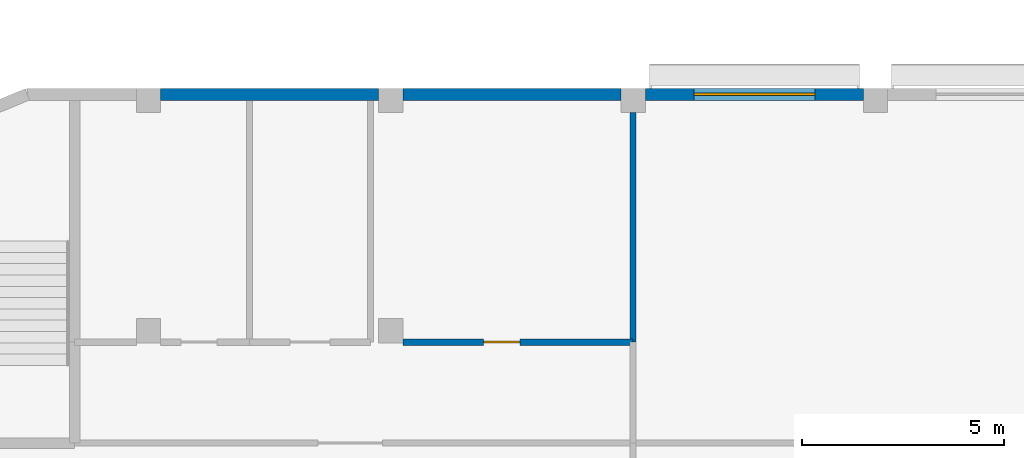
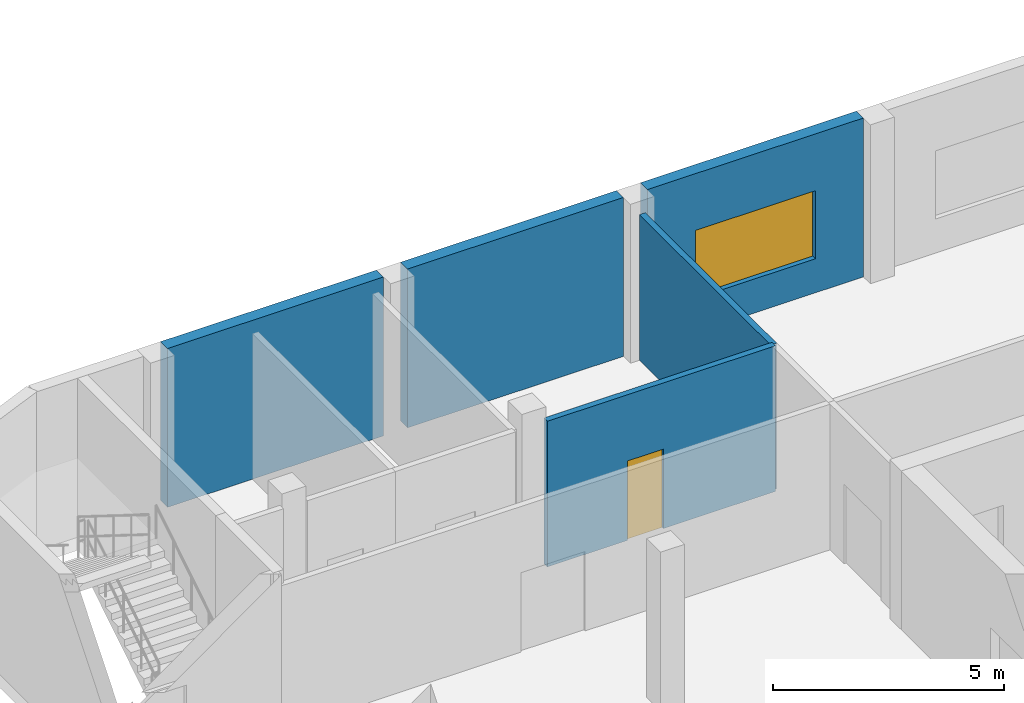
# One storey, part 21 of 45: 5 walls, 1 door, 1 window, 2 openings.
"""IFC4 building model written with IfcOpenShell, lengths in metres."""

import ifcopenshell
import ifcopenshell.guid

model = None  # the IFC model being written
_history = None  # IfcOwnerHistory: only IFC2X3 demands one
_inside = {}  # id of a spatial element -> (the spatial element, [elements in it])
_under = {}  # id of a project, library or spatial element -> (it, [spatial elements below it])
_declared = {}  # id of a project -> (the project, [libraries it declares])
_typed = {}  # id of a type object -> (the type object, [elements of that type])
_made_of = {}  # id of a material, layer set ... -> (it, [elements and type objects made of it])


def new_model(schema):
    """Start an empty IFC model of exactly this schema.

    Asked for "IFC4X3", IfcOpenShell would pick the latest addendum, in which some entities
    have other attributes; the version numbers below select the first issue.
    IFC2X3 requires an IfcOwnerHistory on every rooted entity: one is made here for all.
    """
    global model, _history
    if schema == "IFC4X3":
        model = ifcopenshell.file(schema_version=(4, 3, 0, 0))
    else:
        model = ifcopenshell.file(schema=schema)
    _inside.clear()
    _under.clear()
    _declared.clear()
    _typed.clear()
    _made_of.clear()
    _history = None
    if model.schema == "IFC2X3":
        org = make("IfcOrganization", Name="unknown")
        user = make(
            "IfcPersonAndOrganization",
            ThePerson=make("IfcPerson", FamilyName="unknown"),
            TheOrganization=org,
        )
        app = make(
            "IfcApplication",
            ApplicationDeveloper=org,
            Version="unknown",
            ApplicationFullName="unknown",
            ApplicationIdentifier="unknown",
        )
        _history = make(
            "IfcOwnerHistory",
            OwningUser=user,
            OwningApplication=app,
            ChangeAction="ADDED",
            CreationDate=0,
        )
    return model


def make(cls, **values):
    """One entity of the class cls with the attributes given. An attribute that is None is left unset."""
    return model.create_entity(
        cls, **{name: value for name, value in values.items() if value is not None}
    )


def rooted(cls, **values):
    """An entity with a GlobalId (a new one), such as an element, a storey or a relation."""
    return make(cls, GlobalId=ifcopenshell.guid.new(), OwnerHistory=_history, **values)


def si_unit(unit_type, name, prefix=None):
    """IfcSIUnit, for example si_unit("LENGTHUNIT", "METRE", prefix="MILLI")."""
    return make("IfcSIUnit", UnitType=unit_type, Prefix=prefix, Name=name)


def assignment(units):
    """IfcUnitAssignment: the units of a project."""
    return None if units is None else make("IfcUnitAssignment", Units=units)


def point(xyz):
    """IfcCartesianPoint."""
    return None if xyz is None else make("IfcCartesianPoint", Coordinates=xyz)


def direction(xyz):
    """IfcDirection."""
    return None if xyz is None else make("IfcDirection", DirectionRatios=xyz)


def frame(location, z_axis=None, x_axis=None):
    """IfcAxis2Placement3D, a coordinate frame: its origin and axes. An axis left out is left unset."""
    return make(
        "IfcAxis2Placement3D",
        Location=point(location),
        Axis=direction(z_axis),
        RefDirection=direction(x_axis),
    )


def frame_2d(location, x_axis=None):
    """IfcAxis2Placement2D, a coordinate frame in the plane: its origin and x axis."""
    return make(
        "IfcAxis2Placement2D", Location=point(location), RefDirection=direction(x_axis)
    )


def origin():
    """The frame at (0, 0, 0) with its axes left unset."""
    return frame((0.0, 0.0, 0.0))


def place(relative_to, where):
    """IfcLocalPlacement: puts the frame where relative to a parent placement (None: the world)."""
    return make(
        "IfcLocalPlacement", PlacementRelTo=relative_to, RelativePlacement=where
    )


def context(
    kind, dimensions, precision=None, world=None, true_north=None, identifier=None
):
    """IfcGeometricRepresentationContext, for example the 3D "Model" context."""
    return make(
        "IfcGeometricRepresentationContext",
        ContextIdentifier=identifier,
        ContextType=kind,
        CoordinateSpaceDimension=dimensions,
        Precision=precision,
        WorldCoordinateSystem=world,
        TrueNorth=true_north,
    )


def subcontext(parent, identifier, kind, view, scale=None):
    """IfcGeometricRepresentationSubContext, for example "Body" below "Model"."""
    return make(
        "IfcGeometricRepresentationSubContext",
        ContextIdentifier=identifier,
        ContextType=kind,
        ParentContext=parent,
        TargetScale=scale,
        TargetView=view,
    )


def project(units=None, contexts=None):
    """IfcProject with its units and contexts."""
    return rooted(
        "IfcProject",
        Name="project",
        RepresentationContexts=contexts,
        UnitsInContext=assignment(units),
    )


def spatial(cls, under=None, at=None, **own):
    """A site, building, storey or space (cls), placed at a placement, below another one or the project."""
    s = rooted(cls, ObjectPlacement=at, **own)
    if under is not None:
        _under.setdefault(under.id(), (under, []))[1].append(s)
    return s


def profile(cls, at=None, kind="AREA", **sizes):
    """A parametric profile (cls). Its sizes go by their IFC names, for example OverallWidth=200.0."""
    return make(cls, ProfileType=kind, Position=at, **sizes)


def rectangle(**sizes):
    """IfcRectangleProfileDef."""
    return profile("IfcRectangleProfileDef", **sizes)


def extrude(swept, where, along, depth):
    """IfcExtrudedAreaSolid: the profile swept, set in the frame where, extruded along a direction by depth."""
    return make(
        "IfcExtrudedAreaSolid",
        SweptArea=swept,
        Position=where,
        ExtrudedDirection=direction(along),
        Depth=depth,
    )


def shape(context_of_items, identifier, shape_type, items):
    """IfcShapeRepresentation: the items that make up one representation, for example the "Body"."""
    return make(
        "IfcShapeRepresentation",
        ContextOfItems=context_of_items,
        RepresentationIdentifier=identifier,
        RepresentationType=shape_type,
        Items=items,
    )


def material(Name=None, Category=None):
    """IfcMaterial."""
    return make("IfcMaterial", Name=Name, Category=Category)


def layer(
    of_material, thickness, ventilated=None, Name=None, Category=None, Priority=None
):
    """IfcMaterialLayer: one layer of a wall or slab, of a material (None: an air gap)."""
    return make(
        "IfcMaterialLayer",
        Material=of_material,
        LayerThickness=thickness,
        IsVentilated=ventilated,
        Name=Name,
        Category=Category,
        Priority=Priority,
    )


def layer_set(layers, Name=None):
    """IfcMaterialLayerSet."""
    return make("IfcMaterialLayerSet", MaterialLayers=layers, LayerSetName=Name)


def made_of(thing, what):
    """Note that an element or type object is made of a material, layer set ...; save() writes the relation."""
    if what is not None:
        _made_of.setdefault(what.id(), (what, []))[1].append(thing)
    return thing


def type_object(cls, material=None, **own):
    """A type object (cls), such as IfcWallType, which elements share."""
    return made_of(rooted(cls, **own), material)


def element(
    cls,
    number,
    at=None,
    inside=None,
    cuts=None,
    type_object=None,
    material=None,
    context=None,
    identifier="Body",
    shape_type=None,
    held_by="IfcProductDefinitionShape",
    body=None,
    shapes=None,
    **own,
):
    """One element of the class cls, such as IfcWall. Its Tag is "e" and its number.

    at: its placement. inside: the storey or other place that contains it. cuts: it is an
    opening in that element (IfcRelVoidsElement). A single representation is given by context,
    identifier, shape_type and body (its items); several are given by shapes. held_by: the class
    of the entity that holds the representations. save() writes the other relations.
    """
    e = rooted(cls, Tag="e%d" % number, ObjectPlacement=at, **own)
    if body is not None:
        shapes = [shape(context, identifier, shape_type, body)]
    if shapes is not None:
        e.Representation = make(held_by, Representations=shapes)
    if inside is not None:
        _inside.setdefault(inside.id(), (inside, []))[1].append(e)
    if cuts is not None:
        rooted(
            "IfcRelVoidsElement", RelatingBuildingElement=cuts, RelatedOpeningElement=e
        )
    if type_object is not None:
        _typed.setdefault(type_object.id(), (type_object, []))[1].append(e)
    return made_of(e, material)


def fill(opening, filler):
    """IfcRelFillsElement: the door or window that sits in an opening."""
    return rooted(
        "IfcRelFillsElement",
        RelatingOpeningElement=opening,
        RelatedBuildingElement=filler,
    )


def aggregate(whole, parts):
    """IfcRelAggregates: a whole, such as a stair, and the parts it consists of."""
    return rooted("IfcRelAggregates", RelatingObject=whole, RelatedObjects=parts)


def save(model, path):
    """Write the relations noted so far, then the file.

    IfcRelAggregates (storeys below a building ...), IfcRelContainedInSpatialStructure (elements
    in a storey), IfcRelDefinesByType, IfcRelAssociatesMaterial and IfcRelDeclares: one each for
    every whole, place, type object, material and project.
    """
    for whole, parts in _under.values():
        aggregate(whole, parts)
    for where, things in _inside.values():
        rooted(
            "IfcRelContainedInSpatialStructure",
            RelatedElements=things,
            RelatingStructure=where,
        )
    for kind, things in _typed.values():
        rooted("IfcRelDefinesByType", RelatedObjects=things, RelatingType=kind)
    for what, things in _made_of.values():
        rooted("IfcRelAssociatesMaterial", RelatedObjects=things, RelatingMaterial=what)
    for by, libraries in _declared.values():
        rooted("IfcRelDeclares", RelatingContext=by, RelatedDefinitions=libraries)
    model.write(path)


model = new_model("IFC4")

# Units and contexts
model_context = context("Model", 3, precision=1e-05, world=origin(), true_north=direction((0.0, 1.0)))
body_context = subcontext(model_context, "Body", "Model", "MODEL_VIEW")
ifc_project = project(units=[si_unit("LENGTHUNIT", "METRE"), si_unit("AREAUNIT", "SQUARE_METRE"), si_unit("VOLUMEUNIT", "CUBIC_METRE"), si_unit("PLANEANGLEUNIT", "RADIAN"), si_unit("MASSUNIT", "GRAM", prefix="KILO")], contexts=[model_context])

# Site, building, storey
site_placement = place(None, origin())
site = spatial("IfcSite", under=ifc_project, at=site_placement, CompositionType="ELEMENT")
building_placement = place(site_placement, origin())
building = spatial("IfcBuilding", under=site, at=building_placement, Name="Nakaniwa Court", CompositionType="ELEMENT")
storey_placement = place(building_placement, frame((0.0, 0.0, 11.39990234375)))
storey = spatial("IfcBuildingStorey", under=building, at=storey_placement, Name="L02", CompositionType="ELEMENT", Elevation=11.39990234375)

# Walls
ifc_material_1 = material(Name="Concrete C50/60", Category="concrete")
ifc_layer_1 = layer(ifc_material_1, 0.300048828125)
ifc_layer_set_1 = layer_set([ifc_layer_1], Name="Concrete C50/60")
wall_type_1 = type_object("IfcWallType", Name="Fair faced concrete wall 300", PredefinedType="SOLIDWALL", material=ifc_layer_set_1)
for number, where, z_axis, x_axis, name in (
    (1, (158.300048828125, 103.85009765625, 0.0), (0.0, 0.0, 1.0), (1.0, 0.0, 0.0), "Facade wall L02 12"),
    (2, (164.300048828125, 103.85009765625, 0.0), (0.0, 0.0, 1.0), (1.0, 0.0, 0.0), "Facade wall L02 13"),
):
    element("IfcWall", number, at=place(storey_placement, frame(where, z_axis=z_axis, x_axis=x_axis)), inside=storey, type_object=wall_type_1, Name=name, PredefinedType="SOLIDWALL", context=body_context, shape_type="SweptSolid", body=[
        extrude(rectangle(XDim=5.39990234375, YDim=0.300048828125, at=frame_2d((2.699951171875, 0.0))), origin(), (0.0, 0.0, 1.0), 4.2001953125),
    ])

# Wall, opening, window
wall_1_placement = place(storey_placement, frame((170.300048828125, 103.85009765625, 0.0), z_axis=(0.0, 0.0, 1.0), x_axis=(1.0, 0.0, 0.0)))
wall_1 = element("IfcWall", 3, at=wall_1_placement, inside=storey, type_object=wall_type_1, Name="Facade wall L02 14", PredefinedType="SOLIDWALL", context=body_context, shape_type="SweptSolid", body=[
    extrude(rectangle(XDim=5.39990234375, YDim=0.300048828125, at=frame_2d((2.699951171875, 0.0))), origin(), (0.0, 0.0, 1.0), 4.2001953125),
])
opening_1_placement = place(wall_1_placement, frame((1.199951171875, 0.0, 0.89990234375)))
opening_1 = element("IfcOpeningElement", 4, at=opening_1_placement, cuts=wall_1, Name="Opening HWN-34", PredefinedType="OPENING", context=body_context, shape_type="SweptSolid", body=[
    extrude(rectangle(XDim=3.0, YDim=1.800048828125, at=frame_2d((1.5, 0.89990234375))), frame((0.0, 0.159912109375, 0.0), z_axis=(0.0, -1.0, 0.0), x_axis=(1.0, 0.0, 0.0)), (0.0, 0.0, 1.0), 0.320068359375),
])
ifc_material_2 = material(Name="Black powder-coated aluminium frame with dark glass", Category="aluminium")
window_type = type_object("IfcWindowType", Name="Hall window 3000x1800", PartitioningType="SINGLE_PANEL", PredefinedType="WINDOW", material=ifc_material_2)
window_placement = place(opening_1_placement, origin())
window = element("IfcWindow", 5, at=window_placement, inside=storey, type_object=window_type, Name="Window L02:013", OverallHeight=1.800048828125, OverallWidth=3.0, PartitioningType="SINGLE_PANEL", PredefinedType="WINDOW", context=body_context, shape_type="SweptSolid", body=[
    extrude(rectangle(XDim=3.0, YDim=1.800048828125, at=frame_2d((1.5, 0.89990234375))), frame((0.0, 0.030029296875, 0.0), z_axis=(0.0, -1.0, 0.0), x_axis=(1.0, 0.0, 0.0)), (0.0, 0.0, 1.0), 0.06005859375),
])
fill(opening_1, window)

# Wall, opening, door
ifc_material_3 = material(Name="Moisture-resistant steel stud partition", Category="steel")
ifc_layer_2 = layer(ifc_material_3, 0.14990234375)
ifc_layer_set_2 = layer_set([ifc_layer_2], Name="Moisture-resistant steel stud partition")
wall_type_2 = type_object("IfcWallType", Name="Wet area partition 150", PredefinedType="PLUMBINGWALL", material=ifc_layer_set_2)
wall_2_placement = place(storey_placement, frame((164.300048828125, 97.715087890625, 0.0), z_axis=(0.0, 0.0, 1.0), x_axis=(1.0, 0.0, 0.0)))
wall_2 = element("IfcWall", 6, at=wall_2_placement, inside=storey, type_object=wall_type_2, Name="L02 partition wall 12", PredefinedType="PLUMBINGWALL", context=body_context, shape_type="SweptSolid", body=[
    extrude(rectangle(XDim=5.699951171875, YDim=0.14990234375, at=frame_2d((2.85009765625, 0.0))), origin(), (0.0, 0.0, 1.0), 3.85009765625),
])
opening_2_placement = place(wall_2_placement, frame((2.0, 0.0, 0.0)))
opening_2 = element("IfcOpeningElement", 7, at=opening_2_placement, cuts=wall_2, Name="Opening HD-85", PredefinedType="OPENING", context=body_context, shape_type="SweptSolid", body=[
    extrude(rectangle(XDim=0.89990234375, YDim=2.10009765625, at=frame_2d((0.449951171875, 1.050048828125))), frame((0.0, 0.0849609375, 0.0), z_axis=(0.0, -1.0, 0.0), x_axis=(1.0, 0.0, 0.0)), (0.0, 0.0, 1.0), 0.169921875),
])
ifc_material_4 = material(Name="Solid-core timber door leaf in steel frame", Category="steel")
door_type = type_object("IfcDoorType", Name="Hall door 900x2100", OperationType="SINGLE_SWING_LEFT", PredefinedType="DOOR", material=ifc_material_4)
door_placement = place(opening_2_placement, origin())
door = element("IfcDoor", 8, at=door_placement, inside=storey, type_object=door_type, Name="L02 door Public-WC-(women)", OperationType="SINGLE_SWING_LEFT", OverallHeight=2.10009765625, OverallWidth=0.89990234375, PredefinedType="DOOR", context=body_context, shape_type="SweptSolid", body=[
    extrude(rectangle(XDim=0.89990234375, YDim=2.10009765625, at=frame_2d((0.449951171875, 1.050048828125))), frame((0.0, 0.02490234375, 0.0), z_axis=(0.0, -1.0, 0.0), x_axis=(1.0, 0.0, 0.0)), (0.0, 0.0, 1.0), 0.050048828125),
])
fill(opening_2, door)

# Wall
wall_3_placement = place(storey_placement, frame((170.0, 103.39990234375, 0.0), z_axis=(0.0, 0.0, 1.0), x_axis=(0.0, -1.0, 0.0)))
element("IfcWall", 9, at=wall_3_placement, inside=storey, type_object=wall_type_2, Name="L02 partition wall 25", PredefinedType="PLUMBINGWALL", context=body_context, shape_type="SweptSolid", body=[
    extrude(rectangle(XDim=5.684814453125, YDim=0.14990234375, at=frame_2d((2.84228515625, 0.0))), origin(), (0.0, 0.0, 1.0), 3.85009765625),
])

save(model, "model.ifc")
